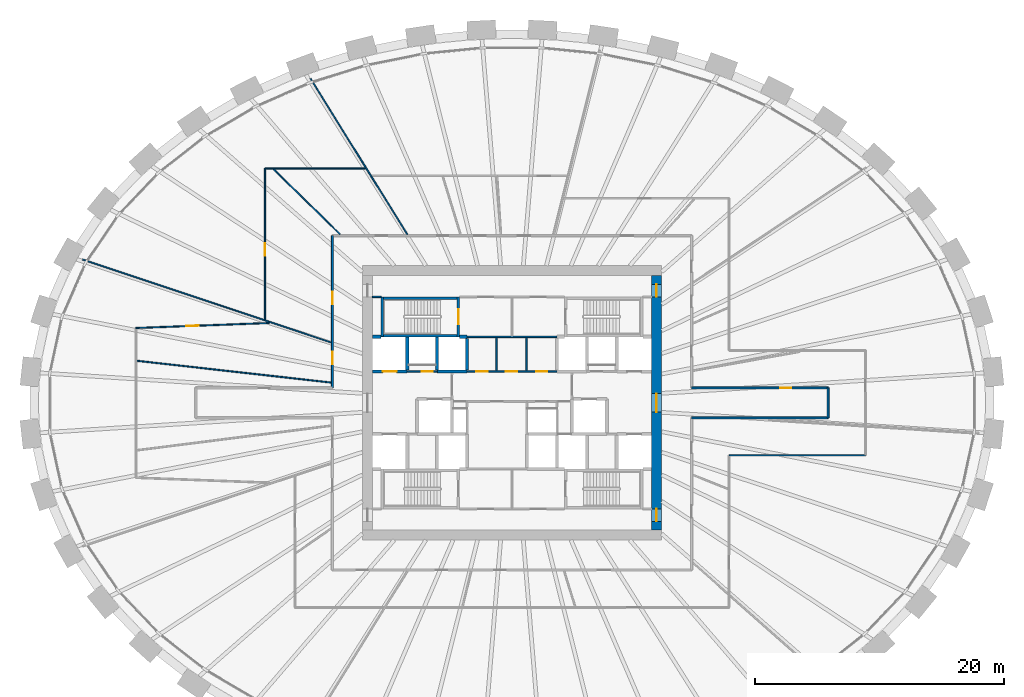
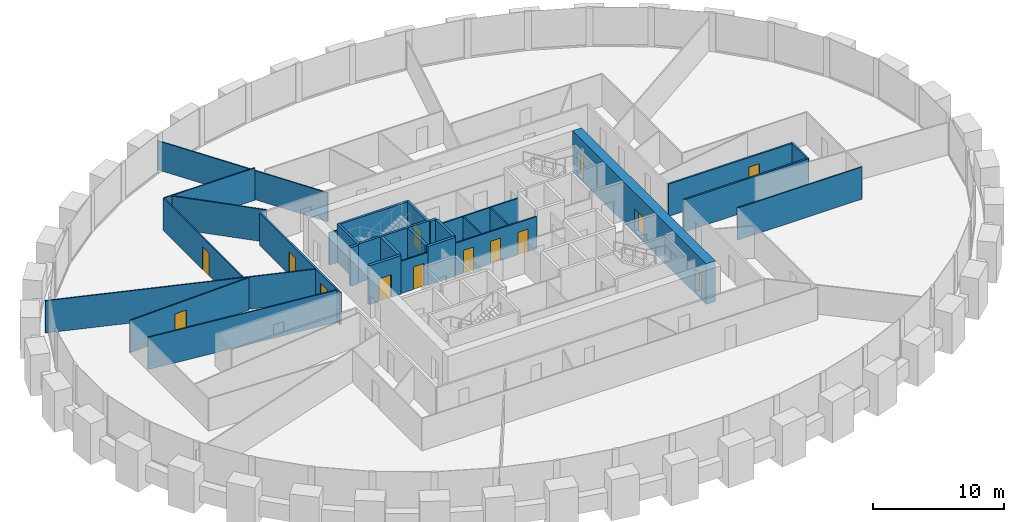
# One storey, part 8 of 11: 30 walls, 14 doors, 14 openings.
"""IFC4 building model written with IfcOpenShell, lengths in metres."""

from ifc_helpers import new_model, si_unit, direction, frame, frame_2d, origin, place, context, subcontext, project, spatial, rectangle, extrude, source, transform, mapped, material, layer, layer_set, type_object, element, fill, save


model = new_model("IFC4")

# Units and contexts
model_context = context("Model", 3, precision=1e-05, world=origin(), true_north=direction((0.0, 1.0)))
body_context = subcontext(model_context, "Body", "Model", "MODEL_VIEW")
ifc_project = project(units=[si_unit("LENGTHUNIT", "METRE"), si_unit("AREAUNIT", "SQUARE_METRE"), si_unit("VOLUMEUNIT", "CUBIC_METRE"), si_unit("PLANEANGLEUNIT", "RADIAN"), si_unit("MASSUNIT", "GRAM", prefix="KILO")], contexts=[model_context])

# Site, building, storey
site_placement = place(None, origin())
site = spatial("IfcSite", under=ifc_project, at=site_placement, CompositionType="ELEMENT")
building_placement = place(site_placement, origin())
building = spatial("IfcBuilding", under=site, at=building_placement, Name="Embergate Tower", CompositionType="ELEMENT")
storey_placement = place(building_placement, frame((0.0, 0.0, 143.699951171875)))
storey = spatial("IfcBuildingStorey", under=building, at=storey_placement, Name="L31", CompositionType="ELEMENT", Elevation=143.699951171875)

# Wall, openings, doors
ifc_material_1 = material(Name="Concrete C70", Category="concrete")
ifc_layer_1 = layer(ifc_material_1, 0.800048828125)
ifc_layer_set_1 = layer_set([ifc_layer_1], Name="Concrete C70")
wall_type_1 = type_object("IfcWallType", Name="Core outer wall C70 800", PredefinedType="SHEAR", material=ifc_layer_set_1)
shared_shape_1 = source(origin(), body_context, "Body", "SweptSolid", [
    extrude(rectangle(XDim=20.39990234375, YDim=0.800048828125, at=frame_2d((10.199951171875, 0.0))), origin(), (0.0, 0.0, 1.0), 3.800048828125),
])
wall_1_placement = place(storey_placement, frame((11.60009765625, -10.199951171875, -0.199951171875), z_axis=(0.0, 0.0, 1.0), x_axis=(0.0, 1.0, 0.0)))
wall_1 = element("IfcWall", 1, at=wall_1_placement, inside=storey, type_object=wall_type_1, Name="CW-L31-E", PredefinedType="SHEAR", context=body_context, shape_type="MappedRepresentation", body=[
    mapped(shared_shape_1, transform((0.0, 0.0, 0.0))),
])
shared_shape_2 = source(origin(), body_context, "Body", "SweptSolid", [
    extrude(rectangle(XDim=1.0, YDim=2.10009765625, at=frame_2d((0.5, 1.050048828125))), frame((0.0, 0.409912109375, 0.0), z_axis=(0.0, -1.0, 0.0), x_axis=(1.0, 0.0, 0.0)), (0.0, 0.0, 1.0), 0.820068359375),
])
opening_1_placement = place(wall_1_placement, frame((18.699951171875, 0.0, 0.199951171875)))
opening_1 = element("IfcOpeningElement", 2, at=opening_1_placement, cuts=wall_1, Name="Opening IF-1d", PredefinedType="OPENING", context=body_context, shape_type="MappedRepresentation", body=[
    mapped(shared_shape_2, transform((0.0, 0.0, 0.0))),
])
opening_2_placement = place(wall_1_placement, frame((0.699951171875, 0.0, 0.199951171875)))
opening_2 = element("IfcOpeningElement", 3, at=opening_2_placement, cuts=wall_1, Name="Opening IF-1d", PredefinedType="OPENING", context=body_context, shape_type="MappedRepresentation", body=[
    mapped(shared_shape_2, transform((0.0, 0.0, 0.0))),
])
shared_shape_3 = source(origin(), body_context, "Body", "SweptSolid", [
    extrude(rectangle(XDim=1.5, YDim=2.10009765625, at=frame_2d((0.75, 1.050048828125))), frame((0.0, 0.409912109375, 0.0), z_axis=(0.0, -1.0, 0.0), x_axis=(1.0, 0.0, 0.0)), (0.0, 0.0, 1.0), 0.820068359375),
])
opening_3_placement = place(wall_1_placement, frame((9.449951171875, 0.0, 0.199951171875)))
opening_3 = element("IfcOpeningElement", 4, at=opening_3_placement, cuts=wall_1, Name="Opening IF-3", PredefinedType="OPENING", context=body_context, shape_type="MappedRepresentation", body=[
    mapped(shared_shape_3, transform((0.0, 0.0, 0.0))),
])
ifc_material_2 = material(Name="Lobby fire door pair 1500")
door_type_1 = type_object("IfcDoorType", Name="Lobby fire door pair 1500", OperationType="DOUBLE_DOOR_SINGLE_SWING", PredefinedType="DOOR", material=ifc_material_2)
shared_shape_4 = source(origin(), body_context, "Body", "SweptSolid", [
    extrude(rectangle(XDim=1.5, YDim=2.10009765625, at=frame_2d((0.75, 1.050048828125))), frame((0.0, 0.02490234375, 0.0), z_axis=(0.0, -1.0, 0.0), x_axis=(1.0, 0.0, 0.0)), (0.0, 0.0, 1.0), 0.050048828125),
])
door_1_placement = place(opening_3_placement, origin())
door_1 = element("IfcDoor", 5, at=door_1_placement, inside=storey, type_object=door_type_1, Name="IF-3 door", OperationType="DOUBLE_DOOR_SINGLE_SWING", OverallHeight=2.10009765625, OverallWidth=1.5, PredefinedType="DOOR", context=body_context, shape_type="MappedRepresentation", body=[
    mapped(shared_shape_4, transform((0.0, 0.0, 0.0))),
])
fill(opening_3, door_1)
ifc_material_3 = material(Name="Escape fire door 1000")
door_type_2 = type_object("IfcDoorType", Name="Escape fire door 1000", OperationType="SINGLE_SWING_LEFT", PredefinedType="DOOR", material=ifc_material_3)
shared_shape_5 = source(origin(), body_context, "Body", "SweptSolid", [
    extrude(rectangle(XDim=1.0, YDim=2.10009765625, at=frame_2d((0.5, 1.050048828125))), frame((0.0, 0.02490234375, 0.0), z_axis=(0.0, -1.0, 0.0), x_axis=(1.0, 0.0, 0.0)), (0.0, 0.0, 1.0), 0.050048828125),
])
door_2_placement = place(opening_1_placement, origin())
door_2 = element("IfcDoor", 6, at=door_2_placement, inside=storey, type_object=door_type_2, Name="IF-1 door", OperationType="SINGLE_SWING_RIGHT", OverallHeight=2.10009765625, OverallWidth=1.0, PredefinedType="DOOR", context=body_context, shape_type="MappedRepresentation", body=[
    mapped(shared_shape_5, transform((0.0, 0.0, 0.0))),
])
fill(opening_1, door_2)
door_3_placement = place(opening_2_placement, origin())
door_3 = element("IfcDoor", 7, at=door_3_placement, inside=storey, type_object=door_type_2, Name="IF-1 door", OperationType="SINGLE_SWING_RIGHT", OverallHeight=2.10009765625, OverallWidth=1.0, PredefinedType="DOOR", context=body_context, shape_type="MappedRepresentation", body=[
    mapped(shared_shape_5, transform((0.0, 0.0, 0.0))),
])
fill(opening_2, door_3)

# Walls
ifc_material_4 = material(Name="Concrete C50", Category="concrete")
ifc_layer_2 = layer(ifc_material_4, 0.25)
ifc_layer_set_2 = layer_set([ifc_layer_2], Name="Concrete C50")
wall_type_2 = type_object("IfcWallType", Name="Hoistway wall reinforced concrete 250", PredefinedType="SHEAR", material=ifc_layer_set_2)
shared_shape_6 = source(origin(), body_context, "Body", "SweptSolid", [
    extrude(rectangle(XDim=2.675048828125, YDim=0.25, at=frame_2d((1.33740234375, 0.0))), origin(), (0.0, 0.0, 1.0), 3.60009765625),
])
for number, where, z_axis, x_axis, name in (
    (8, (-8.39990234375, 2.625, 0.0), (0.0, 0.0, 1.0), (0.0, 1.0, 0.0), "HW-1 wall"),
    (9, (-6.0, 2.625, 0.0), (0.0, 0.0, 1.0), (0.0, 1.0, 0.0), "HW-1 wall"),
):
    element("IfcWall", number, at=place(storey_placement, frame(where, z_axis=z_axis, x_axis=x_axis)), inside=storey, type_object=wall_type_2, Name=name, PredefinedType="SHEAR", context=body_context, shape_type="MappedRepresentation", body=[
        mapped(shared_shape_6, transform((0.0, 0.0, 0.0))),
    ])
ifc_layer_3 = layer(ifc_material_4, 0.199951171875)
ifc_layer_set_3 = layer_set([ifc_layer_3], Name="Concrete C50")
wall_type_3 = type_object("IfcWallType", Name="Stair enclosure wall reinforced concrete 250", PredefinedType="SHEAR", material=ifc_layer_set_3)
shared_shape_7 = source(origin(), body_context, "Body", "SweptSolid", [
    extrude(rectangle(XDim=6.300048828125, YDim=0.199951171875, at=frame_2d((3.14990234375, 0.0))), origin(), (0.0, 0.0, 1.0), 3.60009765625),
])
for number, where, z_axis, x_axis, name in (
    (10, (-4.199951171875, 5.39990234375, 0.0), (0.0, 0.0, 1.0), (-1.0, 0.0, 0.0), "SE-1 wall"),
    (11, (-4.199951171875, 8.39990234375, 0.0), (0.0, 0.0, 1.0), (-1.0, 0.0, 0.0), "SE-1 wall"),
):
    element("IfcWall", number, at=place(storey_placement, frame(where, z_axis=z_axis, x_axis=x_axis)), inside=storey, type_object=wall_type_3, Name=name, PredefinedType="SHEAR", context=body_context, shape_type="MappedRepresentation", body=[
        mapped(shared_shape_7, transform((0.0, 0.0, 0.0))),
    ])
shared_shape_8 = source(origin(), body_context, "Body", "SweptSolid", [
    extrude(rectangle(XDim=2.550048828125, YDim=0.25, at=frame_2d((1.27490234375, 0.0))), origin(), (0.0, 0.0, 1.0), 3.60009765625),
])
wall_2_placement = place(storey_placement, frame((-3.60009765625, 2.625, 0.0), z_axis=(0.0, 0.0, 1.0), x_axis=(0.0, 1.0, 0.0)))
element("IfcWall", 12, at=wall_2_placement, inside=storey, type_object=wall_type_2, Name="HW-1 wall", PredefinedType="SHEAR", context=body_context, shape_type="MappedRepresentation", body=[
    mapped(shared_shape_8, transform((0.0, 0.0, 0.0))),
])

# Wall, opening, door
shared_shape_9 = source(origin(), body_context, "Body", "SweptSolid", [
    extrude(rectangle(XDim=3.199951171875, YDim=0.199951171875, at=frame_2d((1.60009765625, 0.0))), origin(), (0.0, 0.0, 1.0), 3.60009765625),
])
wall_3_placement = place(storey_placement, frame((-4.300048828125, 5.300048828125, 0.0), z_axis=(0.0, 0.0, 1.0), x_axis=(0.0, 1.0, 0.0)))
wall_3 = element("IfcWall", 13, at=wall_3_placement, inside=storey, type_object=wall_type_3, Name="SE-1 wall", PredefinedType="SHEAR", context=body_context, shape_type="MappedRepresentation", body=[
    mapped(shared_shape_9, transform((0.0, 0.0, 0.0))),
])
shared_shape_10 = source(origin(), body_context, "Body", "SweptSolid", [
    extrude(rectangle(XDim=1.199951171875, YDim=2.10009765625, at=frame_2d((0.60009765625, 1.050048828125))), frame((0.0, 0.10986328125, 0.0), z_axis=(0.0, -1.0, 0.0), x_axis=(1.0, 0.0, 0.0)), (0.0, 0.0, 1.0), 0.219970703125),
])
opening_4_placement = place(wall_3_placement, frame((1.0, 0.0, 0.0)))
opening_4 = element("IfcOpeningElement", 14, at=opening_4_placement, cuts=wall_3, Name="Opening IF-2", PredefinedType="OPENING", context=body_context, shape_type="MappedRepresentation", body=[
    mapped(shared_shape_10, transform((0.0, 0.0, 0.0))),
])
ifc_material_5 = material(Name="Stair enclosure door 1200")
door_type_3 = type_object("IfcDoorType", Name="Stair enclosure door 1200", OperationType="SINGLE_SWING_LEFT", PredefinedType="DOOR", material=ifc_material_5)
shared_shape_11 = source(origin(), body_context, "Body", "SweptSolid", [
    extrude(rectangle(XDim=1.199951171875, YDim=2.10009765625, at=frame_2d((0.60009765625, 1.050048828125))), frame((0.0, 0.02490234375, 0.0), z_axis=(0.0, -1.0, 0.0), x_axis=(1.0, 0.0, 0.0)), (0.0, 0.0, 1.0), 0.050048828125),
])
door_4_placement = place(opening_4_placement, origin())
door_4 = element("IfcDoor", 15, at=door_4_placement, inside=storey, type_object=door_type_3, Name="IF-2 door", OperationType="SINGLE_SWING_LEFT", OverallHeight=2.10009765625, OverallWidth=1.199951171875, PredefinedType="DOOR", context=body_context, shape_type="MappedRepresentation", body=[
    mapped(shared_shape_11, transform((0.0, 0.0, 0.0))),
])
fill(opening_4, door_4)

# Walls
shared_shape_12 = source(origin(), body_context, "Body", "SweptSolid", [
    extrude(rectangle(XDim=2.39990234375, YDim=0.25, at=frame_2d((1.199951171875, 0.0))), origin(), (0.0, 0.0, 1.0), 3.60009765625),
])
wall_4_placement = place(storey_placement, frame((-6.0, 2.5, 0.0), z_axis=(0.0, 0.0, 1.0), x_axis=(1.0, 0.0, 0.0)))
element("IfcWall", 16, at=wall_4_placement, inside=storey, type_object=wall_type_2, Name="HW-1 wall", PredefinedType="SHEAR", context=body_context, shape_type="MappedRepresentation", body=[
    mapped(shared_shape_12, transform((0.0, 0.0, 0.0))),
])
ifc_material_6 = material(Name="Core partition blockwork 120")
ifc_layer_4 = layer(ifc_material_6, 0.1201171875)
ifc_layer_set_4 = layer_set([ifc_layer_4], Name="Core partition blockwork 120")
wall_type_4 = type_object("IfcWallType", Name="Core partition blockwork 120", PredefinedType="PARTITIONING", material=ifc_layer_set_4)
shared_shape_13 = source(origin(), body_context, "Body", "SweptSolid", [
    extrude(rectangle(XDim=2.679931640625, YDim=0.1201171875, at=frame_2d((1.33984375, 0.0))), origin(), (0.0, 0.0, 1.0), 3.0),
])
for number, where, z_axis, x_axis, name in (
    (17, (-1.22412109375, 2.56005859375, 0.0), (0.0, 0.0, 1.0), (0.0, 1.0, 0.0), "IP-3 wall"),
    (18, (1.152099609375, 2.56005859375, 0.0), (0.0, 0.0, 1.0), (0.0, 1.0, 0.0), "IP-3 wall"),
):
    element("IfcWall", number, at=place(storey_placement, frame(where, z_axis=z_axis, x_axis=x_axis)), inside=storey, type_object=wall_type_4, Name=name, PredefinedType="PARTITIONING", context=body_context, shape_type="MappedRepresentation", body=[
        mapped(shared_shape_13, transform((0.0, 0.0, 0.0))),
    ])

# Wall, openings, doors
ifc_material_7 = material(Name="Corridor wall dry-lined 150")
ifc_layer_5 = layer(ifc_material_7, 0.14990234375)
ifc_layer_set_5 = layer_set([ifc_layer_5], Name="Corridor wall dry-lined 150")
wall_type_5 = type_object("IfcWallType", Name="Corridor wall dry-lined 150", PredefinedType="PARTITIONING", material=ifc_layer_set_5)
shared_shape_14 = source(origin(), body_context, "Body", "SweptSolid", [
    extrude(rectangle(XDim=12.199951171875, YDim=0.14990234375, at=frame_2d((6.10009765625, 0.0))), origin(), (0.0, 0.0, 1.0), 3.0),
])
wall_5_placement = place(storey_placement, frame((-14.39990234375, 1.199951171875, 0.0), z_axis=(0.0, 0.0, 1.0), x_axis=(0.0, 1.0, 0.0)))
wall_5 = element("IfcWall", 19, at=wall_5_placement, inside=storey, type_object=wall_type_5, Name="IP-2 wall", PredefinedType="PARTITIONING", context=body_context, shape_type="MappedRepresentation", body=[
    mapped(shared_shape_14, transform((0.0, 0.0, 0.0))),
])
shared_shape_15 = source(origin(), body_context, "Body", "SweptSolid", [
    extrude(rectangle(XDim=1.0, YDim=2.10009765625, at=frame_2d((0.5, 1.050048828125))), frame((0.0, 0.0849609375, 0.0), z_axis=(0.0, -1.0, 0.0), x_axis=(1.0, 0.0, 0.0)), (0.0, 0.0, 1.0), 0.169921875),
])
opening_5_placement = place(wall_5_placement, frame((6.7060546875, 0.0, 0.0)))
opening_5 = element("IfcOpeningElement", 20, at=opening_5_placement, cuts=wall_5, Name="Opening ID-2", PredefinedType="OPENING", context=body_context, shape_type="MappedRepresentation", body=[
    mapped(shared_shape_15, transform((0.0, 0.0, 0.0))),
])
opening_6_placement = place(wall_5_placement, frame((1.89501953125, 0.0, 0.0)))
opening_6 = element("IfcOpeningElement", 21, at=opening_6_placement, cuts=wall_5, Name="Opening ID-2", PredefinedType="OPENING", context=body_context, shape_type="MappedRepresentation", body=[
    mapped(shared_shape_15, transform((0.0, 0.0, 0.0))),
])
ifc_material_8 = material(Name="Interior door 1000")
door_type_4 = type_object("IfcDoorType", Name="Interior door 1000", OperationType="SINGLE_SWING_LEFT", PredefinedType="DOOR", material=ifc_material_8)
door_5_placement = place(opening_5_placement, origin())
door_5 = element("IfcDoor", 22, at=door_5_placement, inside=storey, type_object=door_type_4, Name="ID-2 door", OperationType="SINGLE_SWING_LEFT", OverallHeight=2.10009765625, OverallWidth=1.0, PredefinedType="DOOR", context=body_context, shape_type="MappedRepresentation", body=[
    mapped(shared_shape_5, transform((0.0, 0.0, 0.0))),
])
fill(opening_5, door_5)
door_6_placement = place(opening_6_placement, origin())
door_6 = element("IfcDoor", 23, at=door_6_placement, inside=storey, type_object=door_type_4, Name="ID-2 door", OperationType="SINGLE_SWING_RIGHT", OverallHeight=2.10009765625, OverallWidth=1.0, PredefinedType="DOOR", context=body_context, shape_type="MappedRepresentation", body=[
    mapped(shared_shape_5, transform((0.0, 0.0, 0.0))),
])
fill(opening_6, door_6)

# Wall
shared_shape_16 = source(origin(), body_context, "Body", "SweptSolid", [
    extrude(rectangle(XDim=10.9501953125, YDim=0.14990234375, at=frame_2d((5.47509765625, 0.0))), origin(), (0.0, 0.0, 1.0), 3.0),
])
wall_6_placement = place(storey_placement, frame((14.39990234375, -1.199951171875, 0.0), z_axis=(0.0, 0.0, 1.0), x_axis=(1.0, 0.0, 0.0)))
element("IfcWall", 24, at=wall_6_placement, inside=storey, type_object=wall_type_5, Name="IP-2 wall", PredefinedType="PARTITIONING", context=body_context, shape_type="MappedRepresentation", body=[
    mapped(shared_shape_16, transform((0.0, 0.0, 0.0))),
])

# Wall, opening, door
ifc_material_9 = material(Name="Corridor wall dry-lined 150 wet")
ifc_layer_6 = layer(ifc_material_9, 0.14990234375)
ifc_layer_set_6 = layer_set([ifc_layer_6], Name="Corridor wall dry-lined 150 wet")
wall_type_6 = type_object("IfcWallType", Name="Corridor wall dry-lined 150 wet", PredefinedType="PLUMBINGWALL", material=ifc_layer_set_6)
wall_7_placement = place(storey_placement, frame((25.35009765625, 1.199951171875, 0.0), z_axis=(0.0, 0.0, 1.0), x_axis=(-1.0, 0.0, 0.0)))
wall_7 = element("IfcWall", 25, at=wall_7_placement, inside=storey, type_object=wall_type_6, Name="IP-2 wall", PredefinedType="PLUMBINGWALL", context=body_context, shape_type="MappedRepresentation", body=[
    mapped(shared_shape_16, transform((0.0, 0.0, 0.0))),
])
shared_shape_17 = source(origin(), body_context, "Body", "SweptSolid", [
    extrude(rectangle(XDim=0.89990234375, YDim=2.10009765625, at=frame_2d((0.449951171875, 1.050048828125))), frame((0.0, 0.0849609375, 0.0), z_axis=(0.0, -1.0, 0.0), x_axis=(1.0, 0.0, 0.0)), (0.0, 0.0, 1.0), 0.169921875),
])
opening_7_placement = place(wall_7_placement, frame((2.946044921875, 0.0, 0.0)))
opening_7 = element("IfcOpeningElement", 26, at=opening_7_placement, cuts=wall_7, Name="Opening IF-1c", PredefinedType="OPENING", context=body_context, shape_type="MappedRepresentation", body=[
    mapped(shared_shape_17, transform((0.0, 0.0, 0.0))),
])
ifc_material_10 = material(Name="Escape fire door 900")
door_type_5 = type_object("IfcDoorType", Name="Escape fire door 900", OperationType="SINGLE_SWING_LEFT", PredefinedType="DOOR", material=ifc_material_10)
shared_shape_18 = source(origin(), body_context, "Body", "SweptSolid", [
    extrude(rectangle(XDim=0.89990234375, YDim=2.10009765625, at=frame_2d((0.449951171875, 1.050048828125))), frame((0.0, 0.02490234375, 0.0), z_axis=(0.0, -1.0, 0.0), x_axis=(1.0, 0.0, 0.0)), (0.0, 0.0, 1.0), 0.050048828125),
])
door_7_placement = place(opening_7_placement, origin())
door_7 = element("IfcDoor", 27, at=door_7_placement, inside=storey, type_object=door_type_5, Name="IF-1 door", OperationType="SINGLE_SWING_RIGHT", OverallHeight=2.10009765625, OverallWidth=0.89990234375, PredefinedType="DOOR", context=body_context, shape_type="MappedRepresentation", body=[
    mapped(shared_shape_18, transform((0.0, 0.0, 0.0))),
])
fill(opening_7, door_7)

# Walls
shared_shape_19 = source(origin(), body_context, "Body", "SweptSolid", [
    extrude(rectangle(XDim=2.39990234375, YDim=0.14990234375, at=frame_2d((1.199951171875, 0.0))), origin(), (0.0, 0.0, 1.0), 3.0),
])
wall_8_placement = place(storey_placement, frame((25.35009765625, -1.199951171875, 0.0), z_axis=(0.0, 0.0, 1.0), x_axis=(0.0, 1.0, 0.0)))
element("IfcWall", 28, at=wall_8_placement, inside=storey, type_object=wall_type_6, Name="IP-2 wall", PredefinedType="PLUMBINGWALL", context=body_context, shape_type="MappedRepresentation", body=[
    mapped(shared_shape_19, transform((0.0, 0.0, 0.0))),
])
ifc_material_11 = material(Name="Partition dry-lined 100")
ifc_layer_7 = layer(ifc_material_11, 0.10009765625)
ifc_layer_set_7 = layer_set([ifc_layer_7], Name="Partition dry-lined 100")
wall_type_7 = type_object("IfcWallType", Name="Partition dry-lined 100", PredefinedType="PARTITIONING", material=ifc_layer_set_7)
shared_shape_20 = source(origin(), body_context, "Body", "SweptSolid", [
    extrude(rectangle(XDim=21.021484375, YDim=0.10009765625, at=frame_2d((10.5107421875, 0.0))), origin(), (0.0, 0.0, 1.0), 3.0),
])
wall_9_placement = place(storey_placement, frame((-34.429931640625, 11.4990234375, 0.0), z_axis=(0.0, 0.0, 1.0), x_axis=(0.948503129664, -0.316767758805, 0.0)))
element("IfcWall", 29, at=wall_9_placement, inside=storey, type_object=wall_type_7, Name="IP-1 wall", PredefinedType="PARTITIONING", context=body_context, shape_type="MappedRepresentation", body=[
    mapped(shared_shape_20, transform((0.0, 0.0, 0.0))),
])
shared_shape_21 = source(origin(), body_context, "Body", "SweptSolid", [
    extrude(rectangle(XDim=14.712158203125, YDim=0.10009765625, at=frame_2d((7.35595703125, 0.0))), origin(), (0.0, 0.0, 1.0), 2.699951171875),
])
wall_10_placement = place(storey_placement, frame((-16.154052734375, 25.9970703125, 0.0), z_axis=(0.0, 0.0, 1.0), x_axis=(0.527801481892, -0.849367762346, 0.0)))
element("IfcWall", 30, at=wall_10_placement, inside=storey, type_object=wall_type_7, Name="IP-1 wall", PredefinedType="PARTITIONING", context=body_context, shape_type="MappedRepresentation", body=[
    mapped(shared_shape_21, transform((0.0, 0.0, 0.0))),
])
shared_shape_22 = source(origin(), body_context, "Body", "SweptSolid", [
    extrude(rectangle(XDim=10.9501953125, YDim=0.10009765625, at=frame_2d((5.47509765625, 0.0))), origin(), (0.0, 0.0, 1.0), 3.0),
])
wall_11_placement = place(storey_placement, frame((28.35009765625, -4.199951171875, 0.0), z_axis=(0.0, 0.0, 1.0), x_axis=(-1.0, 0.0, 0.0)))
element("IfcWall", 31, at=wall_11_placement, inside=storey, type_object=wall_type_7, Name="IP-1 wall", PredefinedType="PARTITIONING", context=body_context, shape_type="MappedRepresentation", body=[
    mapped(shared_shape_22, transform((0.0, 0.0, 0.0))),
])
shared_shape_23 = source(origin(), body_context, "Body", "SweptSolid", [
    extrude(rectangle(XDim=7.43505859375, YDim=0.10009765625, at=frame_2d((3.717529296875, 0.0))), origin(), (0.0, 0.0, 1.0), 3.0),
])
wall_12_placement = place(storey_placement, frame((-13.7880859375, 13.510986328125, 0.0), z_axis=(0.0, 0.0, 1.0), x_axis=(-0.714326421036, 0.699812663654, 0.0)))
element("IfcWall", 32, at=wall_12_placement, inside=storey, type_object=wall_type_7, Name="IP-1 wall", PredefinedType="PARTITIONING", context=body_context, shape_type="MappedRepresentation", body=[
    mapped(shared_shape_23, transform((0.0, 0.0, 0.0))),
])
shared_shape_24 = source(origin(), body_context, "Body", "SweptSolid", [
    extrude(rectangle(XDim=8.028076171875, YDim=0.10009765625, at=frame_2d((4.01416015625, 0.0))), origin(), (0.0, 0.0, 1.0), 3.0),
])
wall_13_placement = place(storey_placement, frame((-11.77197265625, 18.800048828125, 0.0), z_axis=(0.0, 0.0, 1.0), x_axis=(-1.0, 0.0, 0.0)))
element("IfcWall", 33, at=wall_13_placement, inside=storey, type_object=wall_type_7, Name="IP-1 wall", PredefinedType="PARTITIONING", context=body_context, shape_type="MappedRepresentation", body=[
    mapped(shared_shape_24, transform((0.0, 0.0, 0.0))),
])

# Wall, opening, door
shared_shape_25 = source(origin(), body_context, "Body", "SweptSolid", [
    extrude(rectangle(XDim=12.1181640625, YDim=0.10009765625, at=frame_2d((6.05908203125, 0.0))), origin(), (0.0, 0.0, 1.0), 3.0),
])
wall_14_placement = place(storey_placement, frame((-19.800048828125, 6.681884765625, 0.0), z_axis=(0.0, 0.0, 1.0), x_axis=(0.0, 1.0, 0.0)))
wall_14 = element("IfcWall", 34, at=wall_14_placement, inside=storey, type_object=wall_type_7, Name="IP-1 wall", PredefinedType="PARTITIONING", context=body_context, shape_type="MappedRepresentation", body=[
    mapped(shared_shape_25, transform((0.0, 0.0, 0.0))),
])
shared_shape_26 = source(origin(), body_context, "Body", "SweptSolid", [
    extrude(rectangle(XDim=1.0, YDim=2.10009765625, at=frame_2d((0.5, 1.050048828125))), frame((0.0, 0.06005859375, 0.0), z_axis=(0.0, -1.0, 0.0), x_axis=(1.0, 0.0, 0.0)), (0.0, 0.0, 1.0), 0.1201171875),
])
opening_8_placement = place(wall_14_placement, frame((5.100830078125, 0.0, 0.0)))
opening_8 = element("IfcOpeningElement", 35, at=opening_8_placement, cuts=wall_14, Name="Opening ID-2", PredefinedType="OPENING", context=body_context, shape_type="MappedRepresentation", body=[
    mapped(shared_shape_26, transform((0.0, 0.0, 0.0))),
])
door_8_placement = place(opening_8_placement, origin())
door_8 = element("IfcDoor", 36, at=door_8_placement, inside=storey, type_object=door_type_4, Name="ID-2 door", OperationType="SINGLE_SWING_LEFT", OverallHeight=2.10009765625, OverallWidth=1.0, PredefinedType="DOOR", context=body_context, shape_type="MappedRepresentation", body=[
    mapped(shared_shape_5, transform((0.0, 0.0, 0.0))),
])
fill(opening_8, door_8)

# Wall
shared_shape_27 = source(origin(), body_context, "Body", "SweptSolid", [
    extrude(rectangle(XDim=15.710693359375, YDim=0.10009765625, at=frame_2d((7.85546875, 0.0))), origin(), (0.0, 0.0, 1.0), 3.0),
])
wall_15_placement = place(storey_placement, frame((-14.48095703125, 1.6240234375, 0.0), z_axis=(0.0, 0.0, 1.0), x_axis=(-0.993776960065, 0.111388301195, 0.0)))
element("IfcWall", 37, at=wall_15_placement, inside=storey, type_object=wall_type_7, Name="IP-1 wall", PredefinedType="PARTITIONING", context=body_context, shape_type="MappedRepresentation", body=[
    mapped(shared_shape_27, transform((0.0, 0.0, 0.0))),
])

# Wall, opening, door
shared_shape_28 = source(origin(), body_context, "Body", "SweptSolid", [
    extrude(rectangle(XDim=10.682373046875, YDim=0.10009765625, at=frame_2d((5.34130859375, 0.0))), origin(), (0.0, 0.0, 1.0), 3.0),
])
wall_16_placement = place(storey_placement, frame((-30.14990234375, 6.0, 0.0), z_axis=(0.0, 0.0, 1.0), x_axis=(0.999291311197, 0.037641404939, 0.0)))
wall_16 = element("IfcWall", 38, at=wall_16_placement, inside=storey, type_object=wall_type_7, Name="IP-1 wall", PredefinedType="PARTITIONING", context=body_context, shape_type="MappedRepresentation", body=[
    mapped(shared_shape_28, transform((0.0, 0.0, 0.0))),
])
opening_9_placement = place(wall_16_placement, frame((4.036865234375, 0.0, 0.0)))
opening_9 = element("IfcOpeningElement", 39, at=opening_9_placement, cuts=wall_16, Name="Opening ID-2", PredefinedType="OPENING", context=body_context, shape_type="MappedRepresentation", body=[
    mapped(shared_shape_26, transform((0.0, 0.0, 0.0))),
])
door_9_placement = place(opening_9_placement, origin())
door_9 = element("IfcDoor", 40, at=door_9_placement, inside=storey, type_object=door_type_4, Name="ID-2 door", OperationType="SINGLE_SWING_RIGHT", OverallHeight=2.10009765625, OverallWidth=1.0, PredefinedType="DOOR", context=body_context, shape_type="MappedRepresentation", body=[
    mapped(shared_shape_5, transform((0.0, 0.0, 0.0))),
])
fill(opening_9, door_9)

shared_shape_29 = source(origin(), body_context, "Body", "SweptSolid", [
    extrude(rectangle(XDim=2.800048828125, YDim=0.25, at=frame_2d((1.39990234375, 0.0))), origin(), (0.0, 0.0, 1.0), 3.60009765625),
])
wall_17_placement = place(storey_placement, frame((-11.199951171875, 2.5, 0.0), z_axis=(0.0, 0.0, 1.0), x_axis=(1.0, 0.0, 0.0)))
wall_17 = element("IfcWall", 41, at=wall_17_placement, inside=storey, type_object=wall_type_2, Name="HW-1 wall", PredefinedType="SHEAR", context=body_context, shape_type="MappedRepresentation", body=[
    mapped(shared_shape_29, transform((0.0, 0.0, 0.0))),
])
shared_shape_30 = source(origin(), body_context, "Body", "SweptSolid", [
    extrude(rectangle(XDim=1.10009765625, YDim=2.10009765625, at=frame_2d((0.550048828125, 1.050048828125))), frame((0.0, 0.135009765625, 0.0), z_axis=(0.0, -1.0, 0.0), x_axis=(1.0, 0.0, 0.0)), (0.0, 0.0, 1.0), 0.27001953125),
])
opening_10_placement = place(wall_17_placement, frame((0.85009765625, 0.0, 0.0)))
opening_10 = element("IfcOpeningElement", 42, at=opening_10_placement, cuts=wall_17, Name="Opening LD", PredefinedType="OPENING", context=body_context, shape_type="MappedRepresentation", body=[
    mapped(shared_shape_30, transform((0.0, 0.0, 0.0))),
])
ifc_material_12 = material(Name="Landing door sliding 1100")
door_type_6 = type_object("IfcDoorType", Name="Landing door sliding 1100", OperationType="SLIDING_TO_LEFT", PredefinedType="DOOR", material=ifc_material_12)
shared_shape_31 = source(origin(), body_context, "Body", "SweptSolid", [
    extrude(rectangle(XDim=1.10009765625, YDim=2.10009765625, at=frame_2d((0.550048828125, 1.050048828125))), frame((0.0, 0.02490234375, 0.0), z_axis=(0.0, -1.0, 0.0), x_axis=(1.0, 0.0, 0.0)), (0.0, 0.0, 1.0), 0.050048828125),
])
door_10_placement = place(opening_10_placement, origin())
door_10 = element("IfcDoor", 43, at=door_10_placement, inside=storey, type_object=door_type_6, Name="LD door", OperationType="SLIDING_TO_LEFT", OverallHeight=2.10009765625, OverallWidth=1.10009765625, PredefinedType="DOOR", context=body_context, shape_type="MappedRepresentation", body=[
    mapped(shared_shape_31, transform((0.0, 0.0, 0.0))),
])
fill(opening_10, door_10)

shared_shape_32 = source(origin(), body_context, "Body", "SweptSolid", [
    extrude(rectangle(XDim=2.39990234375, YDim=0.1201171875, at=frame_2d((1.199951171875, 0.0))), origin(), (0.0, 0.0, 1.0), 3.0),
])
wall_18_placement = place(storey_placement, frame((-8.39990234375, 2.5, 0.0), z_axis=(0.0, 0.0, 1.0), x_axis=(1.0, 0.0, 0.0)))
wall_18 = element("IfcWall", 44, at=wall_18_placement, inside=storey, type_object=wall_type_4, Name="IP-3 wall", PredefinedType="PARTITIONING", context=body_context, shape_type="MappedRepresentation", body=[
    mapped(shared_shape_32, transform((0.0, 0.0, 0.0))),
])
shared_shape_33 = source(origin(), body_context, "Body", "SweptSolid", [
    extrude(rectangle(XDim=0.89990234375, YDim=2.10009765625, at=frame_2d((0.449951171875, 1.050048828125))), frame((0.0, 0.070068359375, 0.0), z_axis=(0.0, -1.0, 0.0), x_axis=(1.0, 0.0, 0.0)), (0.0, 0.0, 1.0), 0.14013671875),
])
opening_11_placement = place(wall_18_placement, frame((1.14990234375, 0.0, 0.0)))
opening_11 = element("IfcOpeningElement", 45, at=opening_11_placement, cuts=wall_18, Name="Opening ID-1", PredefinedType="OPENING", context=body_context, shape_type="MappedRepresentation", body=[
    mapped(shared_shape_33, transform((0.0, 0.0, 0.0))),
])
ifc_material_13 = material(Name="Interior door 900")
door_type_7 = type_object("IfcDoorType", Name="Interior door 900", OperationType="SINGLE_SWING_LEFT", PredefinedType="DOOR", material=ifc_material_13)
door_11_placement = place(opening_11_placement, origin())
door_11 = element("IfcDoor", 46, at=door_11_placement, inside=storey, type_object=door_type_7, Name="ID-1 door", OperationType="SINGLE_SWING_RIGHT", OverallHeight=2.10009765625, OverallWidth=0.89990234375, PredefinedType="DOOR", context=body_context, shape_type="MappedRepresentation", body=[
    mapped(shared_shape_18, transform((0.0, 0.0, 0.0))),
])
fill(opening_11, door_11)

# Wall
shared_shape_34 = source(origin(), body_context, "Body", "SweptSolid", [
    extrude(rectangle(XDim=0.599853515625, YDim=0.25, at=frame_2d((0.2998046875, 0.0))), origin(), (0.0, 0.0, 1.0), 3.60009765625),
])
wall_19_placement = place(storey_placement, frame((-3.60009765625, 5.300048828125, 0.0), z_axis=(0.0, 0.0, 1.0), x_axis=(-1.0, 0.0, 0.0)))
element("IfcWall", 47, at=wall_19_placement, inside=storey, type_object=wall_type_2, Name="HW-1 wall", PredefinedType="SHEAR", context=body_context, shape_type="MappedRepresentation", body=[
    mapped(shared_shape_34, transform((0.0, 0.0, 0.0))),
])

# Wall, openings, doors
shared_shape_35 = source(origin(), body_context, "Body", "SweptSolid", [
    extrude(rectangle(XDim=7.2001953125, YDim=0.1201171875, at=frame_2d((3.60009765625, 0.0))), origin(), (0.0, 0.0, 1.0), 3.0),
])
wall_20_placement = place(storey_placement, frame((3.60009765625, 2.5, 0.0), z_axis=(0.0, 0.0, 1.0), x_axis=(-1.0, 0.0, 0.0)))
wall_20 = element("IfcWall", 48, at=wall_20_placement, inside=storey, type_object=wall_type_4, Name="IP-3 wall", PredefinedType="PARTITIONING", context=body_context, shape_type="MappedRepresentation", body=[
    mapped(shared_shape_35, transform((0.0, 0.0, 0.0))),
])
opening_12_placement = place(wall_20_placement, frame((5.56201171875, 0.0, 0.0)))
opening_12 = element("IfcOpeningElement", 49, at=opening_12_placement, cuts=wall_20, Name="Opening ID-1", PredefinedType="OPENING", context=body_context, shape_type="MappedRepresentation", body=[
    mapped(shared_shape_33, transform((0.0, 0.0, 0.0))),
])
opening_13_placement = place(wall_20_placement, frame((3.18603515625, 0.0, 0.0)))
opening_13 = element("IfcOpeningElement", 50, at=opening_13_placement, cuts=wall_20, Name="Opening ID-1", PredefinedType="OPENING", context=body_context, shape_type="MappedRepresentation", body=[
    mapped(shared_shape_33, transform((0.0, 0.0, 0.0))),
])
opening_14_placement = place(wall_20_placement, frame((0.77392578125, 0.0, 0.0)))
opening_14 = element("IfcOpeningElement", 51, at=opening_14_placement, cuts=wall_20, Name="Opening ID-1", PredefinedType="OPENING", context=body_context, shape_type="MappedRepresentation", body=[
    mapped(shared_shape_33, transform((0.0, 0.0, 0.0))),
])
door_12_placement = place(opening_12_placement, origin())
door_12 = element("IfcDoor", 52, at=door_12_placement, inside=storey, type_object=door_type_7, Name="ID-1 door", OperationType="SINGLE_SWING_LEFT", OverallHeight=2.10009765625, OverallWidth=0.89990234375, PredefinedType="DOOR", context=body_context, shape_type="MappedRepresentation", body=[
    mapped(shared_shape_18, transform((0.0, 0.0, 0.0))),
])
fill(opening_12, door_12)
door_13_placement = place(opening_13_placement, origin())
door_13 = element("IfcDoor", 53, at=door_13_placement, inside=storey, type_object=door_type_7, Name="ID-1 door", OperationType="SINGLE_SWING_LEFT", OverallHeight=2.10009765625, OverallWidth=0.89990234375, PredefinedType="DOOR", context=body_context, shape_type="MappedRepresentation", body=[
    mapped(shared_shape_18, transform((0.0, 0.0, 0.0))),
])
fill(opening_13, door_13)
door_14_placement = place(opening_14_placement, origin())
door_14 = element("IfcDoor", 54, at=door_14_placement, inside=storey, type_object=door_type_7, Name="ID-1 door", OperationType="SINGLE_SWING_RIGHT", OverallHeight=2.10009765625, OverallWidth=0.89990234375, PredefinedType="DOOR", context=body_context, shape_type="MappedRepresentation", body=[
    mapped(shared_shape_18, transform((0.0, 0.0, 0.0))),
])
fill(opening_14, door_14)

# Walls
wall_21_placement = place(storey_placement, frame((-3.60009765625, 5.300048828125, 0.0), z_axis=(0.0, 0.0, 1.0), x_axis=(1.0, 0.0, 0.0)))
element("IfcWall", 55, at=wall_21_placement, inside=storey, type_object=wall_type_4, Name="IP-3 wall", PredefinedType="PARTITIONING", context=body_context, shape_type="MappedRepresentation", body=[
    mapped(shared_shape_35, transform((0.0, 0.0, 0.0))),
])
shared_shape_36 = source(origin(), body_context, "Body", "SweptSolid", [
    extrude(rectangle(XDim=3.196044921875, YDim=0.199951171875, at=frame_2d((1.59814453125, 0.0))), origin(), (0.0, 0.0, 1.0), 3.60009765625),
])
wall_22_placement = place(storey_placement, frame((-10.39990234375, 8.498046875, 0.0), z_axis=(0.0, 0.0, 1.0), x_axis=(0.0, -1.0, 0.0)))
element("IfcWall", 56, at=wall_22_placement, inside=storey, type_object=wall_type_3, Name="SE-1 wall", PredefinedType="SHEAR", context=body_context, shape_type="MappedRepresentation", body=[
    mapped(shared_shape_36, transform((0.0, 0.0, 0.0))),
])
shared_shape_37 = source(origin(), body_context, "Body", "SweptSolid", [
    extrude(rectangle(XDim=0.697998046875, YDim=0.25, at=frame_2d((0.34912109375, 0.0))), origin(), (0.0, 0.0, 1.0), 3.60009765625),
])
wall_23_placement = place(storey_placement, frame((-10.501953125, 5.300048828125, 0.0), z_axis=(0.0, 0.0, 1.0), x_axis=(-1.0, 0.0, 0.0)))
element("IfcWall", 57, at=wall_23_placement, inside=storey, type_object=wall_type_2, Name="HW-1 wall", PredefinedType="SHEAR", context=body_context, shape_type="MappedRepresentation", body=[
    mapped(shared_shape_37, transform((0.0, 0.0, 0.0))),
])
shared_shape_38 = source(origin(), body_context, "Body", "SweptSolid", [
    extrude(rectangle(XDim=0.697998046875, YDim=0.1201171875, at=frame_2d((0.34912109375, 0.0))), origin(), (0.0, 0.0, 1.0), 3.0),
])
wall_24_placement = place(storey_placement, frame((-11.199951171875, 8.5, 0.0), z_axis=(0.0, 0.0, 1.0), x_axis=(1.0, 0.0, 0.0)))
element("IfcWall", 58, at=wall_24_placement, inside=storey, type_object=wall_type_4, Name="IP-3 wall", PredefinedType="PARTITIONING", context=body_context, shape_type="MappedRepresentation", body=[
    mapped(shared_shape_38, transform((0.0, 0.0, 0.0))),
])

save(model, "model.ifc")
